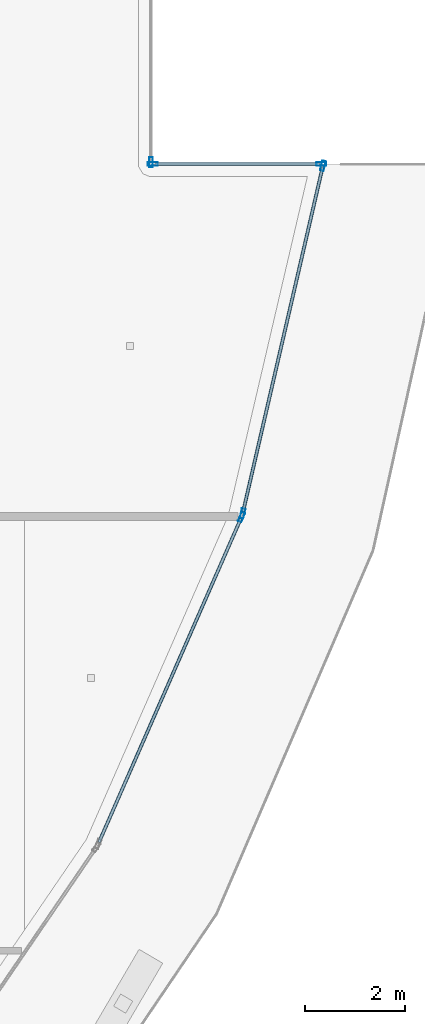
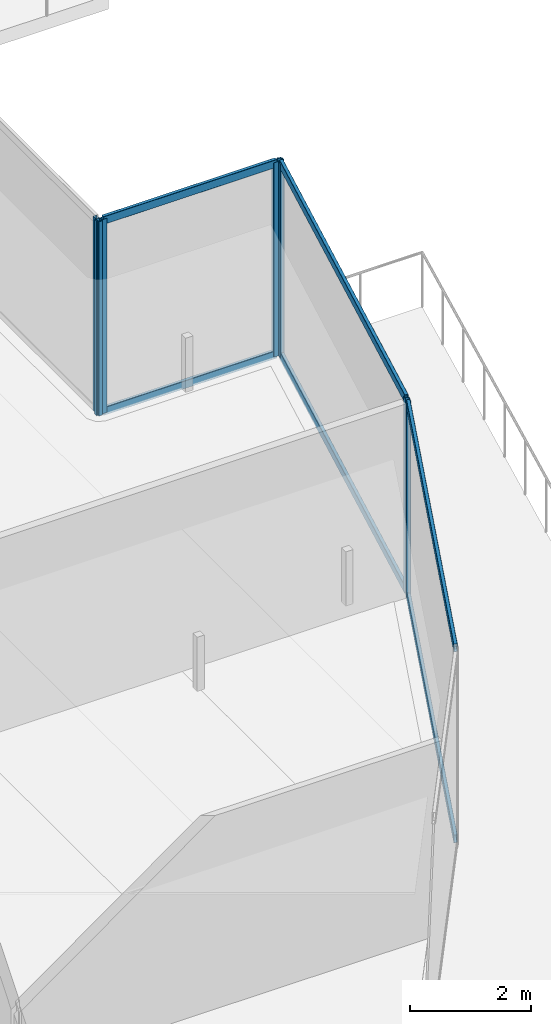
# One storey, part 24 of 47: 12 members, 4 elements without a shape of their own.
"""IFC4 building model written with IfcOpenShell, lengths in metres."""

from ifc_helpers import new_model, si_unit, direction, frame, origin, origin_2d, place, context, subcontext, project, spatial, hollow_rectangle, extrude, material, layer, layer_set, material_profile, profile_set, type_object, element, aggregate, save


model = new_model("IFC4")

# Units and contexts
model_context = context("Model", 3, precision=1e-05, world=origin(), true_north=direction((0.0, 1.0)))
body_context = subcontext(model_context, "Body", "Model", "MODEL_VIEW")
ifc_project = project(units=[si_unit("LENGTHUNIT", "METRE"), si_unit("AREAUNIT", "SQUARE_METRE"), si_unit("VOLUMEUNIT", "CUBIC_METRE"), si_unit("PLANEANGLEUNIT", "RADIAN"), si_unit("MASSUNIT", "GRAM", prefix="KILO")], contexts=[model_context])

# Site, building, storey
site_placement = place(None, origin())
site = spatial("IfcSite", under=ifc_project, at=site_placement, CompositionType="ELEMENT")
building_placement = place(site_placement, origin())
building = spatial("IfcBuilding", under=site, at=building_placement, Name="Qorvath Tower", CompositionType="ELEMENT")
storey_placement = place(building_placement, frame((0.0, 0.0, 74.39990234375)))
storey = spatial("IfcBuildingStorey", under=building, at=storey_placement, Name="L16", CompositionType="ELEMENT", Elevation=74.39990234375)

# Curtain wall, member
ifc_material_1 = material(Name="Anodised aluminium and triple low-E glass", Category="aluminium")
ifc_layer = layer(ifc_material_1, 0.179931640625)
ifc_layer_set = layer_set([ifc_layer], Name="CW-SYS-5")
curtain_wall_type = type_object("IfcCurtainWallType", Name="CW-SYS-5", PredefinedType="NOTDEFINED", material=ifc_layer_set)
curtain_wall_1_placement = place(storey_placement, origin())
curtain_wall_1 = element("IfcCurtainWall", 1, at=curtain_wall_1_placement, inside=storey, type_object=curtain_wall_type, Name="Curtain Wall CW-5 CW-T-L16-10.1", PredefinedType="NOTDEFINED")
ifc_material_2 = material(Name="Anodised aluminium 6063-T6", Category="aluminium")
ifc_material_profile_1 = material_profile(ifc_material_2, hollow_rectangle(XDim=0.074951171875, YDim=0.199951171875, WallThickness=0.00390625, InnerFilletRadius=0.00390625, OuterFilletRadius=0.008056640625, at=origin_2d()), Name="CWM 200x75")
ifc_profile_set_1 = profile_set([ifc_material_profile_1], Name="Anodised aluminium 6063-T6")
member_type_1 = type_object("IfcMemberType", Name="CWM-200", PredefinedType="MULLION", material=ifc_profile_set_1)
member_1_placement = place(storey_placement, frame((4.510498046875, -12.265380859375, 0.0), z_axis=(0.0, 0.0, 1.0), x_axis=(-0.915913444211, 0.401375837231, 0.0)))
member_1 = element("IfcMember", 2, at=member_1_placement, type_object=member_type_1, Name="CW-5 mullion 2", PredefinedType="MULLION", context=body_context, shape_type="SweptSolid", body=[
    extrude(hollow_rectangle(XDim=0.074951171875, YDim=0.199951171875, WallThickness=0.00390625, InnerFilletRadius=0.00390625, OuterFilletRadius=0.008056640625, at=origin_2d()), origin(), (0.0, 0.0, 1.0), 3.920166015625),
])

# Curtain wall, members
curtain_wall_2_placement = place(storey_placement, origin())
curtain_wall_2 = element("IfcCurtainWall", 3, at=curtain_wall_2_placement, inside=storey, type_object=curtain_wall_type, Name="Curtain Wall CW-5 CW-T-L16-11.1", PredefinedType="NOTDEFINED")
member_2_placement = place(storey_placement, frame((4.533935546875, -12.194580078125, 0.0), z_axis=(0.0, 0.0, 1.0), x_axis=(-0.97438839911, 0.224871624887, 0.0)))
member_2 = element("IfcMember", 4, at=member_2_placement, type_object=member_type_1, Name="CW-5 mullion 1", PredefinedType="MULLION", context=body_context, shape_type="SweptSolid", body=[
    extrude(hollow_rectangle(XDim=0.074951171875, YDim=0.199951171875, WallThickness=0.00390625, InnerFilletRadius=0.00390625, OuterFilletRadius=0.008056640625, at=origin_2d()), origin(), (0.0, 0.0, 1.0), 3.920166015625),
])
member_3_placement = place(storey_placement, frame((6.1435546875, -5.220703125, 0.0), z_axis=(0.0, 0.0, 1.0), x_axis=(-0.97438839911, 0.224871624887, 0.0)))
member_3 = element("IfcMember", 5, at=member_3_placement, type_object=member_type_1, Name="CW-5 mullion 2", PredefinedType="MULLION", context=body_context, shape_type="SweptSolid", body=[
    extrude(hollow_rectangle(XDim=0.074951171875, YDim=0.199951171875, WallThickness=0.00390625, InnerFilletRadius=0.00390625, OuterFilletRadius=0.008056640625, at=origin_2d()), origin(), (0.0, 0.0, 1.0), 3.920166015625),
])

curtain_wall_3_placement = place(storey_placement, origin())
curtain_wall_3 = element("IfcCurtainWall", 6, at=curtain_wall_3_placement, inside=storey, type_object=curtain_wall_type, Name="Curtain Wall CW-5 CW-T-L16-12.1", PredefinedType="NOTDEFINED")
member_4_placement = place(storey_placement, frame((6.114501953125, -5.18408203125, 0.0), z_axis=(0.0, 0.0, 1.0), x_axis=(0.0, -1.0, 0.0)))
member_4 = element("IfcMember", 7, at=member_4_placement, type_object=member_type_1, Name="CW-5 mullion 1", PredefinedType="MULLION", context=body_context, shape_type="SweptSolid", body=[
    extrude(hollow_rectangle(XDim=0.074951171875, YDim=0.199951171875, WallThickness=0.00390625, InnerFilletRadius=0.00390625, OuterFilletRadius=0.008056640625, at=origin_2d()), origin(), (0.0, 0.0, 1.0), 3.920166015625),
])
member_5_placement = place(storey_placement, frame((2.7333984375, -5.18408203125, 0.0), z_axis=(0.0, 0.0, 1.0), x_axis=(0.0, -1.0, 0.0)))
member_5 = element("IfcMember", 8, at=member_5_placement, type_object=member_type_1, Name="CW-5 mullion 2", PredefinedType="MULLION", context=body_context, shape_type="SweptSolid", body=[
    extrude(hollow_rectangle(XDim=0.074951171875, YDim=0.199951171875, WallThickness=0.00390625, InnerFilletRadius=0.00390625, OuterFilletRadius=0.008056640625, at=origin_2d()), origin(), (0.0, 0.0, 1.0), 3.920166015625),
])

# Curtain wall, member
curtain_wall_4_placement = place(storey_placement, origin())
curtain_wall_4 = element("IfcCurtainWall", 9, at=curtain_wall_4_placement, inside=storey, type_object=curtain_wall_type, Name="Curtain Wall CW-5 CW-T-L16-13.1", PredefinedType="NOTDEFINED")
member_6_placement = place(storey_placement, frame((2.69580078125, -5.146484375, 0.0), z_axis=(0.0, 0.0, 1.0), x_axis=(-1.0, 0.0, 0.0)))
member_6 = element("IfcMember", 10, at=member_6_placement, type_object=member_type_1, Name="CW-5 mullion 1", PredefinedType="MULLION", context=body_context, shape_type="SweptSolid", body=[
    extrude(hollow_rectangle(XDim=0.074951171875, YDim=0.199951171875, WallThickness=0.00390625, InnerFilletRadius=0.00390625, OuterFilletRadius=0.008056640625, at=origin_2d()), origin(), (0.0, 0.0, 1.0), 3.920166015625),
])
aggregate(curtain_wall_4, [member_6])

# Member
ifc_material_3 = material(Name="Anodised aluminium 6063-T6", Category="aluminium")
ifc_material_profile_2 = material_profile(ifc_material_3, hollow_rectangle(XDim=0.06494140625, YDim=0.159912109375, WallThickness=0.00341796875, InnerFilletRadius=0.00341796875, OuterFilletRadius=0.007080078125, at=origin_2d()), Name="CWT 160x65")
ifc_profile_set_2 = profile_set([ifc_material_profile_2], Name="Anodised aluminium 6063-T6")
member_type_2 = type_object("IfcMemberType", Name="CWT-160", PredefinedType="USERDEFINED", material=ifc_profile_set_2)
member_7_placement = place(storey_placement, frame((1.65283203125, -18.786376953125, 0.032470703125), z_axis=(0.401399249967, 0.915903183817, 0.0), x_axis=(-0.915903183817, 0.401399249967, 0.0)))
member_7 = element("IfcMember", 11, at=member_7_placement, type_object=member_type_2, Name="CW-5 transom 1.1", ObjectType="TRANSOM", PredefinedType="USERDEFINED", context=body_context, shape_type="SweptSolid", body=[
    extrude(hollow_rectangle(XDim=0.06494140625, YDim=0.159912109375, WallThickness=0.00341796875, InnerFilletRadius=0.00341796875, OuterFilletRadius=0.007080078125, at=origin_2d()), origin(), (0.0, 0.0, 1.0), 7.082275390625),
])

member_8_placement = place(storey_placement, frame((1.65283203125, -18.786376953125, 3.8876953125), z_axis=(0.401399249967, 0.915903183817, 0.0), x_axis=(-0.915903183817, 0.401399249967, 0.0)))
member_8 = element("IfcMember", 12, at=member_8_placement, type_object=member_type_2, Name="CW-5 transom 1.2", ObjectType="TRANSOM", PredefinedType="USERDEFINED", context=body_context, shape_type="SweptSolid", body=[
    extrude(hollow_rectangle(XDim=0.06494140625, YDim=0.159912109375, WallThickness=0.00341796875, InnerFilletRadius=0.00341796875, OuterFilletRadius=0.007080078125, at=origin_2d()), origin(), (0.0, 0.0, 1.0), 7.082275390625),
])

aggregate(curtain_wall_1, [member_1, member_7, member_8])

member_9_placement = place(storey_placement, frame((4.54248046875, -12.157958984375, 0.032470703125), z_axis=(0.224862024329, 0.9743906147, 0.0), x_axis=(-0.9743906147, 0.224862024329, 0.0)))
member_9 = element("IfcMember", 13, at=member_9_placement, type_object=member_type_2, Name="CW-5 transom 1.1", ObjectType="TRANSOM", PredefinedType="USERDEFINED", context=body_context, shape_type="SweptSolid", body=[
    extrude(hollow_rectangle(XDim=0.06494140625, YDim=0.159912109375, WallThickness=0.00341796875, InnerFilletRadius=0.00341796875, OuterFilletRadius=0.007080078125, at=origin_2d()), origin(), (0.0, 0.0, 1.0), 7.082275390625),
])

member_10_placement = place(storey_placement, frame((4.54248046875, -12.157958984375, 3.8876953125), z_axis=(0.224862024329, 0.9743906147, 0.0), x_axis=(-0.9743906147, 0.224862024329, 0.0)))
member_10 = element("IfcMember", 14, at=member_10_placement, type_object=member_type_2, Name="CW-5 transom 1.2", ObjectType="TRANSOM", PredefinedType="USERDEFINED", context=body_context, shape_type="SweptSolid", body=[
    extrude(hollow_rectangle(XDim=0.06494140625, YDim=0.159912109375, WallThickness=0.00341796875, InnerFilletRadius=0.00341796875, OuterFilletRadius=0.007080078125, at=origin_2d()), origin(), (0.0, 0.0, 1.0), 7.082275390625),
])

aggregate(curtain_wall_2, [member_2, member_3, member_9, member_10])

member_11_placement = place(storey_placement, frame((6.076904296875, -5.18408203125, 0.032470703125), z_axis=(-1.0, 0.0, 0.0), x_axis=(0.0, -1.0, 0.0)))
member_11 = element("IfcMember", 15, at=member_11_placement, type_object=member_type_2, Name="CW-5 transom 1.1", ObjectType="TRANSOM", PredefinedType="USERDEFINED", context=body_context, shape_type="SweptSolid", body=[
    extrude(hollow_rectangle(XDim=0.06494140625, YDim=0.159912109375, WallThickness=0.00341796875, InnerFilletRadius=0.00341796875, OuterFilletRadius=0.007080078125, at=origin_2d()), origin(), (0.0, 0.0, 1.0), 3.30615234375),
])

member_12_placement = place(storey_placement, frame((6.076904296875, -5.18408203125, 3.8876953125), z_axis=(-1.0, 0.0, 0.0), x_axis=(0.0, -1.0, 0.0)))
member_12 = element("IfcMember", 16, at=member_12_placement, type_object=member_type_2, Name="CW-5 transom 1.2", ObjectType="TRANSOM", PredefinedType="USERDEFINED", context=body_context, shape_type="SweptSolid", body=[
    extrude(hollow_rectangle(XDim=0.06494140625, YDim=0.159912109375, WallThickness=0.00341796875, InnerFilletRadius=0.00341796875, OuterFilletRadius=0.007080078125, at=origin_2d()), origin(), (0.0, 0.0, 1.0), 3.30615234375),
])

aggregate(curtain_wall_3, [member_4, member_5, member_11, member_12])

save(model, "model.ifc")
